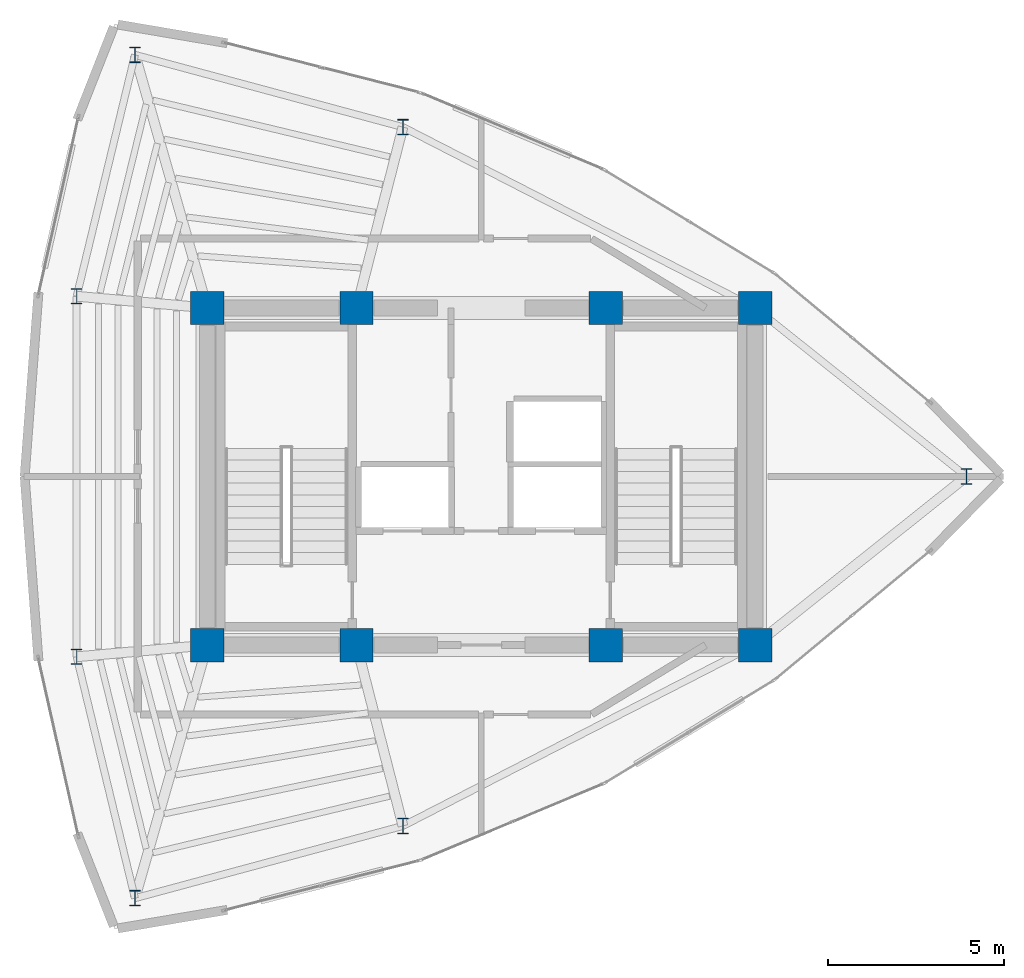
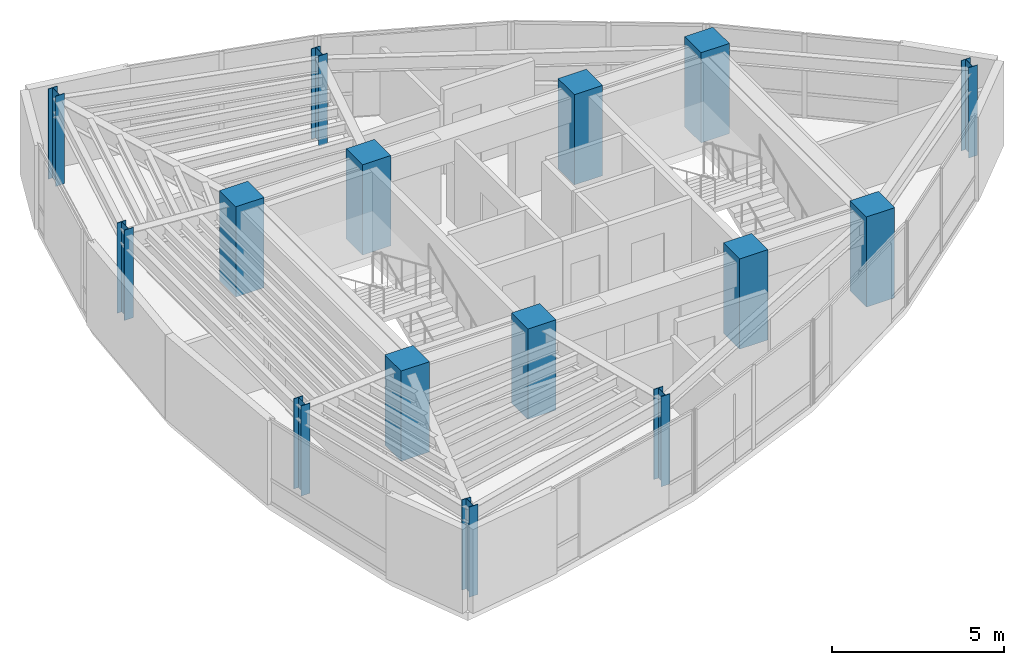
# One storey, part 1 of 14: 15 columns.
"""IFC4 building model written with IfcOpenShell, lengths in metres."""

from ifc_helpers import new_model, si_unit, direction, frame, origin, origin_2d, place, context, subcontext, project, spatial, rectangle, i_section, extrude, material, material_profile, profile_set, type_object, element, save


model = new_model("IFC4")

# Units and contexts
model_context = context("Model", 3, precision=1e-05, world=origin(), true_north=direction((0.0, 1.0)))
body_context = subcontext(model_context, "Body", "Model", "MODEL_VIEW")
ifc_project = project(units=[si_unit("LENGTHUNIT", "METRE"), si_unit("AREAUNIT", "SQUARE_METRE"), si_unit("VOLUMEUNIT", "CUBIC_METRE"), si_unit("PLANEANGLEUNIT", "RADIAN"), si_unit("MASSUNIT", "GRAM", prefix="KILO")], contexts=[model_context])

# Site, building, storey
site_placement = place(None, origin())
site = spatial("IfcSite", under=ifc_project, at=site_placement, CompositionType="ELEMENT")
building_placement = place(site_placement, origin())
building = spatial("IfcBuilding", under=site, at=building_placement, Name="Menara Vayukalpa", CompositionType="ELEMENT")
storey_placement = place(building_placement, frame((0.0, 0.0, 299.219970703125)))
storey = spatial("IfcBuildingStorey", under=building, at=storey_placement, Name="L76", CompositionType="ELEMENT", Elevation=299.219970703125)

# Columns
ifc_material_1 = material(Name="Concrete C60/75", Category="concrete")
ifc_material_profile_1 = material_profile(ifc_material_1, rectangle(XDim=0.949951171875, YDim=0.949951171875, at=origin_2d()), Name="RC 950x950")
ifc_profile_set_1 = profile_set([ifc_material_profile_1], Name="Concrete C60/75")
column_type_1 = type_object("IfcColumnType", Name="COL-CC2", PredefinedType="COLUMN", material=ifc_profile_set_1)
for number, where, z_axis, x_axis, name in (
    (1, (17.800048828125, 17.199951171875, 0.0), (0.0, 0.0, 1.0), (1.0, 0.0, 0.0), "L76 Core Pilaster Column CC1"),
    (2, (22.050048828125, 17.199951171875, 0.0), (0.0, 0.0, 1.0), (1.0, 0.0, 0.0), "L76 Core Pilaster Column CC2"),
    (3, (29.14990234375, 17.199951171875, 0.0), (0.0, 0.0, 1.0), (1.0, 0.0, 0.0), "L76 Core Pilaster Column CC3"),
    (4, (33.39990234375, 17.199951171875, 0.0), (0.0, 0.0, 1.0), (1.0, 0.0, 0.0), "L76 Core Pilaster Column CC4"),
    (5, (17.800048828125, 26.800048828125, 0.0), (0.0, 0.0, 1.0), (1.0, 0.0, 0.0), "L76 Core Pilaster Column CC5"),
    (6, (22.050048828125, 26.800048828125, 0.0), (0.0, 0.0, 1.0), (1.0, 0.0, 0.0), "L76 Core Pilaster Column CC6"),
    (7, (29.14990234375, 26.800048828125, 0.0), (0.0, 0.0, 1.0), (1.0, 0.0, 0.0), "L76 Core Pilaster Column CC7"),
    (8, (33.39990234375, 26.800048828125, 0.0), (0.0, 0.0, 1.0), (1.0, 0.0, 0.0), "L76 Core Pilaster Column CC8"),
):
    element("IfcColumn", number, at=place(storey_placement, frame(where, z_axis=z_axis, x_axis=x_axis)), inside=storey, type_object=column_type_1, Name=name, PredefinedType="COLUMN", context=body_context, shape_type="SweptSolid", body=[
        extrude(rectangle(XDim=0.949951171875, YDim=0.949951171875, at=origin_2d()), origin(), (0.0, 0.0, 1.0), 3.199951171875),
    ])
ifc_material_2 = material(Name="Steel S355", Category="steel")
ifc_material_profile_2 = material_profile(ifc_material_2, i_section(OverallWidth=0.300048828125, OverallDepth=0.43994140625, WebThickness=0.010986328125, FlangeThickness=0.01806640625, at=origin_2d()), Name="H 440x300x11x18")
ifc_profile_set_2 = profile_set([ifc_material_profile_2], Name="Steel S355")
column_type_2 = type_object("IfcColumnType", Name="COL-SC2", PredefinedType="COLUMN", material=ifc_profile_set_2)
for number, where, z_axis, x_axis, name in (
    (9, (39.4189453125, 22.0, 0.0), (0.0, 0.0, 1.0), (1.0, 0.0, 0.0), "L76 Perimeter Mega Column P01"),
    (10, (23.37060546875, 31.949462890625, 0.0), (0.0, 0.0, 1.0), (1.0, 0.0, 0.0), "L76 Perimeter Mega Column P03"),
    (11, (15.740478515625, 34.0078125, 0.0), (0.0, 0.0, 1.0), (1.0, 0.0, 0.0), "L76 Perimeter Mega Column P04"),
    (12, (14.081298828125, 27.1328125, 0.0), (0.0, 0.0, 1.0), (1.0, 0.0, 0.0), "L76 Perimeter Mega Column P05"),
    (13, (14.081298828125, 16.8671875, 0.0), (0.0, 0.0, 1.0), (1.0, 0.0, 0.0), "L76 Perimeter Mega Column P06"),
    (14, (15.740478515625, 9.9921875, 0.0), (0.0, 0.0, 1.0), (1.0, 0.0, 0.0), "L76 Perimeter Mega Column P07"),
    (15, (23.37060546875, 12.050537109375, 0.0), (0.0, 0.0, 1.0), (1.0, 0.0, 0.0), "L76 Perimeter Mega Column P08"),
):
    element("IfcColumn", number, at=place(storey_placement, frame(where, z_axis=z_axis, x_axis=x_axis)), inside=storey, type_object=column_type_2, Name=name, PredefinedType="COLUMN", context=body_context, shape_type="SweptSolid", body=[
        extrude(i_section(OverallWidth=0.300048828125, OverallDepth=0.43994140625, WebThickness=0.010986328125, FlangeThickness=0.01806640625, at=origin_2d()), origin(), (0.0, 0.0, 1.0), 3.199951171875),
    ])

save(model, "model.ifc")
